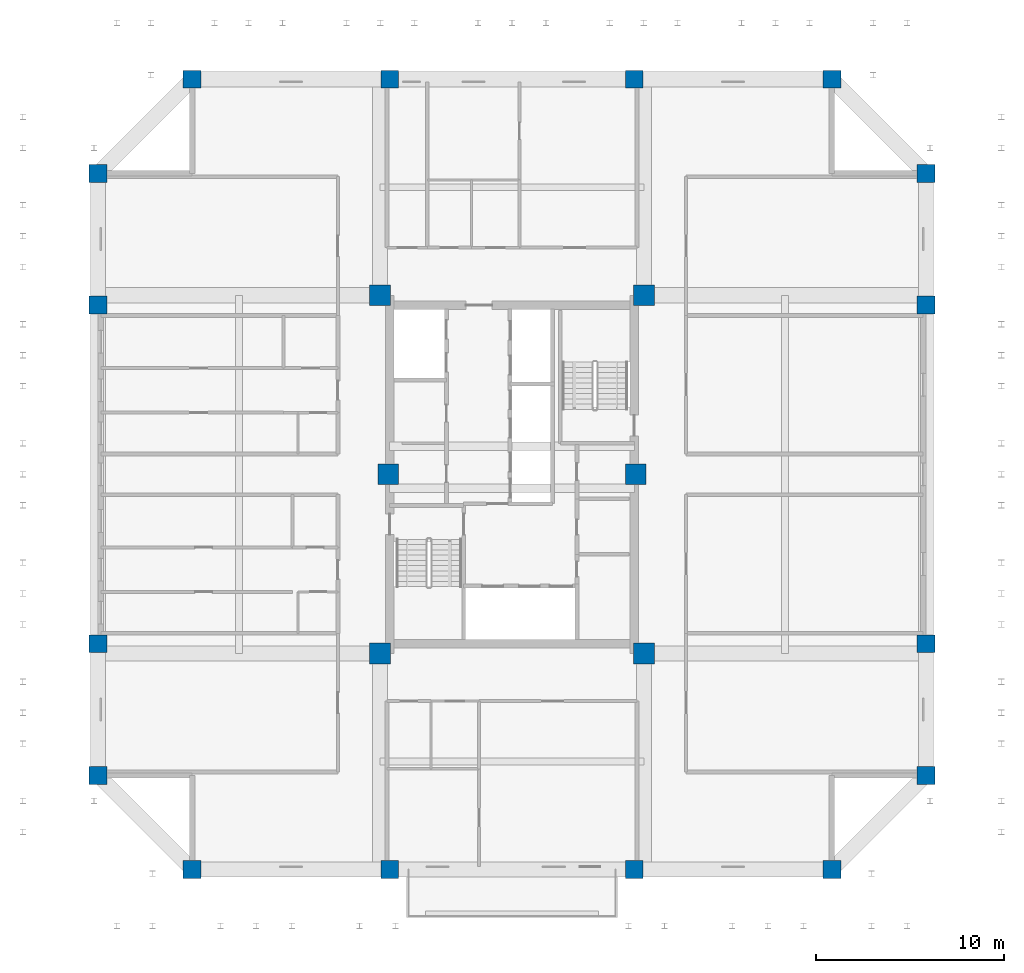
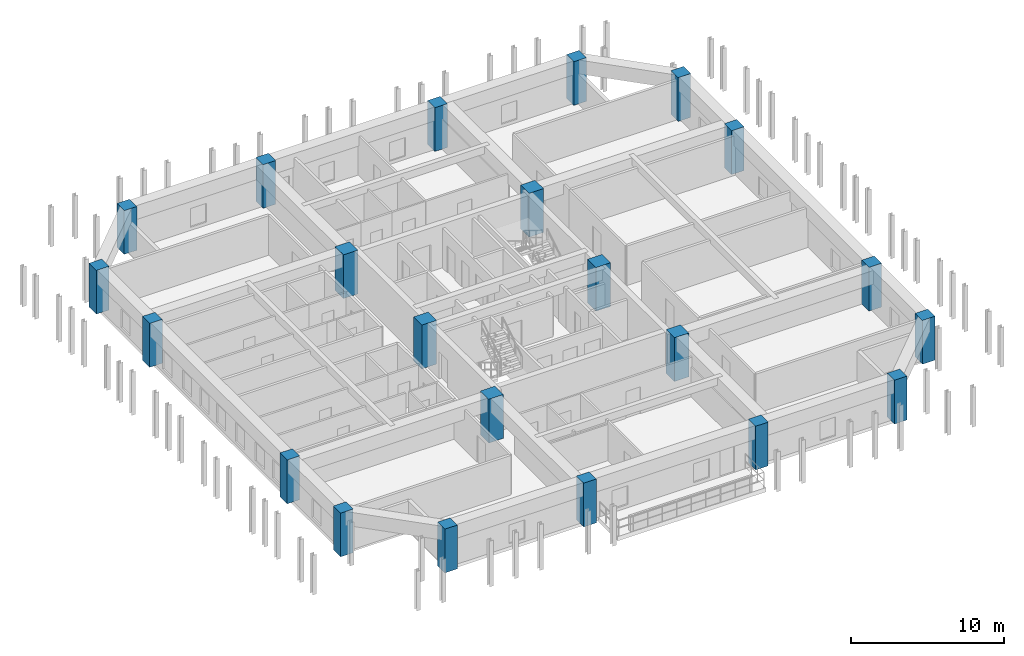
# One storey, part 1 of 13: 22 columns.
"""IFC4 building model written with IfcOpenShell, lengths in metres."""

import ifcopenshell
import ifcopenshell.guid

model = None  # the IFC model being written
_history = None  # IfcOwnerHistory: only IFC2X3 demands one
_inside = {}  # id of a spatial element -> (the spatial element, [elements in it])
_under = {}  # id of a project, library or spatial element -> (it, [spatial elements below it])
_declared = {}  # id of a project -> (the project, [libraries it declares])
_typed = {}  # id of a type object -> (the type object, [elements of that type])
_made_of = {}  # id of a material, layer set ... -> (it, [elements and type objects made of it])


def new_model(schema):
    """Start an empty IFC model of exactly this schema.

    Asked for "IFC4X3", IfcOpenShell would pick the latest addendum, in which some entities
    have other attributes; the version numbers below select the first issue.
    IFC2X3 requires an IfcOwnerHistory on every rooted entity: one is made here for all.
    """
    global model, _history
    if schema == "IFC4X3":
        model = ifcopenshell.file(schema_version=(4, 3, 0, 0))
    else:
        model = ifcopenshell.file(schema=schema)
    _inside.clear()
    _under.clear()
    _declared.clear()
    _typed.clear()
    _made_of.clear()
    _history = None
    if model.schema == "IFC2X3":
        org = make("IfcOrganization", Name="unknown")
        user = make(
            "IfcPersonAndOrganization",
            ThePerson=make("IfcPerson", FamilyName="unknown"),
            TheOrganization=org,
        )
        app = make(
            "IfcApplication",
            ApplicationDeveloper=org,
            Version="unknown",
            ApplicationFullName="unknown",
            ApplicationIdentifier="unknown",
        )
        _history = make(
            "IfcOwnerHistory",
            OwningUser=user,
            OwningApplication=app,
            ChangeAction="ADDED",
            CreationDate=0,
        )
    return model


def make(cls, **values):
    """One entity of the class cls with the attributes given. An attribute that is None is left unset."""
    return model.create_entity(
        cls, **{name: value for name, value in values.items() if value is not None}
    )


def rooted(cls, **values):
    """An entity with a GlobalId (a new one), such as an element, a storey or a relation."""
    return make(cls, GlobalId=ifcopenshell.guid.new(), OwnerHistory=_history, **values)


def si_unit(unit_type, name, prefix=None):
    """IfcSIUnit, for example si_unit("LENGTHUNIT", "METRE", prefix="MILLI")."""
    return make("IfcSIUnit", UnitType=unit_type, Prefix=prefix, Name=name)


def assignment(units):
    """IfcUnitAssignment: the units of a project."""
    return None if units is None else make("IfcUnitAssignment", Units=units)


def point(xyz):
    """IfcCartesianPoint."""
    return None if xyz is None else make("IfcCartesianPoint", Coordinates=xyz)


def direction(xyz):
    """IfcDirection."""
    return None if xyz is None else make("IfcDirection", DirectionRatios=xyz)


def frame(location, z_axis=None, x_axis=None):
    """IfcAxis2Placement3D, a coordinate frame: its origin and axes. An axis left out is left unset."""
    return make(
        "IfcAxis2Placement3D",
        Location=point(location),
        Axis=direction(z_axis),
        RefDirection=direction(x_axis),
    )


def frame_2d(location, x_axis=None):
    """IfcAxis2Placement2D, a coordinate frame in the plane: its origin and x axis."""
    return make(
        "IfcAxis2Placement2D", Location=point(location), RefDirection=direction(x_axis)
    )


def origin():
    """The frame at (0, 0, 0) with its axes left unset."""
    return frame((0.0, 0.0, 0.0))


def origin_2d():
    """The frame at (0, 0) in the plane with its x axis left unset."""
    return frame_2d((0.0, 0.0))


def place(relative_to, where):
    """IfcLocalPlacement: puts the frame where relative to a parent placement (None: the world)."""
    return make(
        "IfcLocalPlacement", PlacementRelTo=relative_to, RelativePlacement=where
    )


def context(
    kind, dimensions, precision=None, world=None, true_north=None, identifier=None
):
    """IfcGeometricRepresentationContext, for example the 3D "Model" context."""
    return make(
        "IfcGeometricRepresentationContext",
        ContextIdentifier=identifier,
        ContextType=kind,
        CoordinateSpaceDimension=dimensions,
        Precision=precision,
        WorldCoordinateSystem=world,
        TrueNorth=true_north,
    )


def subcontext(parent, identifier, kind, view, scale=None):
    """IfcGeometricRepresentationSubContext, for example "Body" below "Model"."""
    return make(
        "IfcGeometricRepresentationSubContext",
        ContextIdentifier=identifier,
        ContextType=kind,
        ParentContext=parent,
        TargetScale=scale,
        TargetView=view,
    )


def project(units=None, contexts=None):
    """IfcProject with its units and contexts."""
    return rooted(
        "IfcProject",
        Name="project",
        RepresentationContexts=contexts,
        UnitsInContext=assignment(units),
    )


def spatial(cls, under=None, at=None, **own):
    """A site, building, storey or space (cls), placed at a placement, below another one or the project."""
    s = rooted(cls, ObjectPlacement=at, **own)
    if under is not None:
        _under.setdefault(under.id(), (under, []))[1].append(s)
    return s


def profile(cls, at=None, kind="AREA", **sizes):
    """A parametric profile (cls). Its sizes go by their IFC names, for example OverallWidth=200.0."""
    return make(cls, ProfileType=kind, Position=at, **sizes)


def rectangle(**sizes):
    """IfcRectangleProfileDef."""
    return profile("IfcRectangleProfileDef", **sizes)


def extrude(swept, where, along, depth):
    """IfcExtrudedAreaSolid: the profile swept, set in the frame where, extruded along a direction by depth."""
    return make(
        "IfcExtrudedAreaSolid",
        SweptArea=swept,
        Position=where,
        ExtrudedDirection=direction(along),
        Depth=depth,
    )


def shape(context_of_items, identifier, shape_type, items):
    """IfcShapeRepresentation: the items that make up one representation, for example the "Body"."""
    return make(
        "IfcShapeRepresentation",
        ContextOfItems=context_of_items,
        RepresentationIdentifier=identifier,
        RepresentationType=shape_type,
        Items=items,
    )


def source(mapping_origin, context_of_items, identifier, shape_type, items):
    """IfcRepresentationMap: a shape defined once, which mapped items show again and again."""
    return make(
        "IfcRepresentationMap",
        MappingOrigin=mapping_origin,
        MappedRepresentation=shape(context_of_items, identifier, shape_type, items),
    )


def transform(
    local_origin,
    x_axis=None,
    y_axis=None,
    z_axis=None,
    scale=None,
    scale2=None,
    scale3=None,
    uniform=True,
):
    """IfcCartesianTransformationOperator3D, or its non-uniform kind. x_axis, y_axis, z_axis: its Axis1, 2, 3."""
    if uniform:
        return make(
            "IfcCartesianTransformationOperator3D",
            Axis1=direction(x_axis),
            Axis2=direction(y_axis),
            LocalOrigin=point(local_origin),
            Scale=scale,
            Axis3=direction(z_axis),
        )
    return make(
        "IfcCartesianTransformationOperator3DnonUniform",
        Axis1=direction(x_axis),
        Axis2=direction(y_axis),
        LocalOrigin=point(local_origin),
        Scale=scale,
        Axis3=direction(z_axis),
        Scale2=scale2,
        Scale3=scale3,
    )


def mapped(mapping_source, mapping_target):
    """IfcMappedItem: shows the shape of a source again, moved by a transform."""
    return make(
        "IfcMappedItem", MappingSource=mapping_source, MappingTarget=mapping_target
    )


def material(Name=None, Category=None):
    """IfcMaterial."""
    return make("IfcMaterial", Name=Name, Category=Category)


def material_profile(
    of_material, cross_section, Name=None, Category=None, Priority=None
):
    """IfcMaterialProfile: a cross section and its material."""
    return make(
        "IfcMaterialProfile",
        Name=Name,
        Material=of_material,
        Profile=cross_section,
        Priority=Priority,
        Category=Category,
    )


def profile_set(profiles, Name=None, composite=None):
    """IfcMaterialProfileSet."""
    return make(
        "IfcMaterialProfileSet",
        Name=Name,
        MaterialProfiles=profiles,
        CompositeProfile=composite,
    )


def made_of(thing, what):
    """Note that an element or type object is made of a material, layer set ...; save() writes the relation."""
    if what is not None:
        _made_of.setdefault(what.id(), (what, []))[1].append(thing)
    return thing


def type_object(cls, material=None, **own):
    """A type object (cls), such as IfcWallType, which elements share."""
    return made_of(rooted(cls, **own), material)


def element(
    cls,
    number,
    at=None,
    inside=None,
    cuts=None,
    type_object=None,
    material=None,
    context=None,
    identifier="Body",
    shape_type=None,
    held_by="IfcProductDefinitionShape",
    body=None,
    shapes=None,
    **own,
):
    """One element of the class cls, such as IfcWall. Its Tag is "e" and its number.

    at: its placement. inside: the storey or other place that contains it. cuts: it is an
    opening in that element (IfcRelVoidsElement). A single representation is given by context,
    identifier, shape_type and body (its items); several are given by shapes. held_by: the class
    of the entity that holds the representations. save() writes the other relations.
    """
    e = rooted(cls, Tag="e%d" % number, ObjectPlacement=at, **own)
    if body is not None:
        shapes = [shape(context, identifier, shape_type, body)]
    if shapes is not None:
        e.Representation = make(held_by, Representations=shapes)
    if inside is not None:
        _inside.setdefault(inside.id(), (inside, []))[1].append(e)
    if cuts is not None:
        rooted(
            "IfcRelVoidsElement", RelatingBuildingElement=cuts, RelatedOpeningElement=e
        )
    if type_object is not None:
        _typed.setdefault(type_object.id(), (type_object, []))[1].append(e)
    return made_of(e, material)


def aggregate(whole, parts):
    """IfcRelAggregates: a whole, such as a stair, and the parts it consists of."""
    return rooted("IfcRelAggregates", RelatingObject=whole, RelatedObjects=parts)


def save(model, path):
    """Write the relations noted so far, then the file.

    IfcRelAggregates (storeys below a building ...), IfcRelContainedInSpatialStructure (elements
    in a storey), IfcRelDefinesByType, IfcRelAssociatesMaterial and IfcRelDeclares: one each for
    every whole, place, type object, material and project.
    """
    for whole, parts in _under.values():
        aggregate(whole, parts)
    for where, things in _inside.values():
        rooted(
            "IfcRelContainedInSpatialStructure",
            RelatedElements=things,
            RelatingStructure=where,
        )
    for kind, things in _typed.values():
        rooted("IfcRelDefinesByType", RelatedObjects=things, RelatingType=kind)
    for what, things in _made_of.values():
        rooted("IfcRelAssociatesMaterial", RelatedObjects=things, RelatingMaterial=what)
    for by, libraries in _declared.values():
        rooted("IfcRelDeclares", RelatingContext=by, RelatedDefinitions=libraries)
    model.write(path)


model = new_model("IFC4")

# Units and contexts
model_context = context("Model", 3, precision=1e-05, world=origin(), true_north=direction((0.0, 1.0)))
body_context = subcontext(model_context, "Body", "Model", "MODEL_VIEW")
ifc_project = project(units=[si_unit("LENGTHUNIT", "METRE"), si_unit("AREAUNIT", "SQUARE_METRE"), si_unit("VOLUMEUNIT", "CUBIC_METRE"), si_unit("PLANEANGLEUNIT", "RADIAN"), si_unit("MASSUNIT", "GRAM", prefix="KILO")], contexts=[model_context])

# Site, building, storey
site_placement = place(None, origin())
site = spatial("IfcSite", under=ifc_project, at=site_placement, CompositionType="ELEMENT")
building_placement = place(site_placement, origin())
building = spatial("IfcBuilding", under=site, at=building_placement, Name="Saelheon Loggia Tower", CompositionType="ELEMENT")
storey_placement = place(building_placement, frame((0.0, 0.0, 148.699951171875)))
storey = spatial("IfcBuildingStorey", under=building, at=storey_placement, Name="L47", CompositionType="ELEMENT", Elevation=148.699951171875)

# Columns
ifc_material = material(Name="Concrete C50/60", Category="concrete")
ifc_material_profile_1 = material_profile(ifc_material, rectangle(XDim=0.949951171875, YDim=0.949951171875, at=origin_2d()), Name="RC-950x950")
ifc_profile_set_1 = profile_set([ifc_material_profile_1], Name="Concrete C50/60")
column_type_1 = type_object("IfcColumnType", Name="Col_Perim_RC950", PredefinedType="COLUMN", material=ifc_profile_set_1)
shared_shape_1 = source(origin(), body_context, "Body", "SweptSolid", [
    extrude(rectangle(XDim=0.949951171875, YDim=0.949951171875, at=origin_2d()), origin(), (0.0, 0.0, 1.0), 3.5),
])
for number, where, z_axis, x_axis, name in (
    (1, (21.0, 6.0, 0.0), (0.0, 0.0, 1.0), (1.0, 0.0, 0.0), "L47 Perimeter Column TP-S1"),
    (2, (31.5, 6.0, 0.0), (0.0, 0.0, 1.0), (1.0, 0.0, 0.0), "L47 Perimeter Column TP-SA"),
    (3, (44.5, 6.0, 0.0), (0.0, 0.0, 1.0), (1.0, 0.0, 0.0), "L47 Perimeter Column TP-SB"),
    (4, (55.0, 6.0, 0.0), (0.0, 0.0, 1.0), (1.0, 0.0, 0.0), "L47 Perimeter Column TP-S2"),
    (5, (60.0, 11.0, 0.0), (0.0, 0.0, 1.0), (1.0, 0.0, 0.0), "L47 Perimeter Column TP-E1"),
    (6, (60.0, 18.0, 0.0), (0.0, 0.0, 1.0), (1.0, 0.0, 0.0), "L47 Perimeter Column TP-EA"),
    (7, (60.0, 36.0, 0.0), (0.0, 0.0, 1.0), (1.0, 0.0, 0.0), "L47 Perimeter Column TP-EB"),
    (8, (60.0, 43.0, 0.0), (0.0, 0.0, 1.0), (1.0, 0.0, 0.0), "L47 Perimeter Column TP-E2"),
    (9, (55.0, 48.0, 0.0), (0.0, 0.0, 1.0), (1.0, 0.0, 0.0), "L47 Perimeter Column TP-N2"),
    (10, (44.5, 48.0, 0.0), (0.0, 0.0, 1.0), (1.0, 0.0, 0.0), "L47 Perimeter Column TP-NB"),
    (11, (31.5, 48.0, 0.0), (0.0, 0.0, 1.0), (1.0, 0.0, 0.0), "L47 Perimeter Column TP-NA"),
    (12, (21.0, 48.0, 0.0), (0.0, 0.0, 1.0), (1.0, 0.0, 0.0), "L47 Perimeter Column TP-N1"),
    (13, (16.0, 43.0, 0.0), (0.0, 0.0, 1.0), (1.0, 0.0, 0.0), "L47 Perimeter Column TP-W2"),
    (14, (16.0, 36.0, 0.0), (0.0, 0.0, 1.0), (1.0, 0.0, 0.0), "L47 Perimeter Column TP-WB"),
    (15, (16.0, 18.0, 0.0), (0.0, 0.0, 1.0), (1.0, 0.0, 0.0), "L47 Perimeter Column TP-WA"),
    (16, (16.0, 11.0, 0.0), (0.0, 0.0, 1.0), (1.0, 0.0, 0.0), "L47 Perimeter Column TP-W1"),
):
    element("IfcColumn", number, at=place(storey_placement, frame(where, z_axis=z_axis, x_axis=x_axis)), inside=storey, type_object=column_type_1, Name=name, PredefinedType="COLUMN", context=body_context, shape_type="MappedRepresentation", body=[
        mapped(shared_shape_1, transform((0.0, 0.0, 0.0), scale=1.0)),
    ])
ifc_material_profile_2 = material_profile(ifc_material, rectangle(XDim=1.10009765625, YDim=1.10009765625, at=origin_2d()), Name="RC-1100x1100")
ifc_profile_set_2 = profile_set([ifc_material_profile_2], Name="Concrete C50/60")
column_type_2 = type_object("IfcColumnType", Name="Col_Core_RC1100", PredefinedType="COLUMN", material=ifc_profile_set_2)
shared_shape_2 = source(origin(), body_context, "Body", "SweptSolid", [
    extrude(rectangle(XDim=1.10009765625, YDim=1.10009765625, at=origin_2d()), origin(), (0.0, 0.0, 1.0), 3.5),
])
for number, where, z_axis, x_axis, name in (
    (17, (30.97998046875, 17.47998046875, 0.0), (0.0, 0.0, 1.0), (1.0, 0.0, 0.0), "L47 Core Column CR-SW"),
    (18, (45.02001953125, 17.47998046875, 0.0), (0.0, 0.0, 1.0), (1.0, 0.0, 0.0), "L47 Core Column CR-SE"),
    (19, (30.97998046875, 36.52001953125, 0.0), (0.0, 0.0, 1.0), (1.0, 0.0, 0.0), "L47 Core Column CR-NW"),
    (20, (45.02001953125, 36.52001953125, 0.0), (0.0, 0.0, 1.0), (1.0, 0.0, 0.0), "L47 Core Column CR-NE"),
    (21, (31.419921875, 27.0, 0.0), (0.0, 0.0, 1.0), (1.0, 0.0, 0.0), "L47 Core Column CR-MW"),
    (22, (44.580078125, 27.0, 0.0), (0.0, 0.0, 1.0), (1.0, 0.0, 0.0), "L47 Core Column CR-ME"),
):
    element("IfcColumn", number, at=place(storey_placement, frame(where, z_axis=z_axis, x_axis=x_axis)), inside=storey, type_object=column_type_2, Name=name, PredefinedType="COLUMN", context=body_context, shape_type="MappedRepresentation", body=[
        mapped(shared_shape_2, transform((0.0, 0.0, 0.0), scale=1.0)),
    ])

save(model, "model.ifc")
